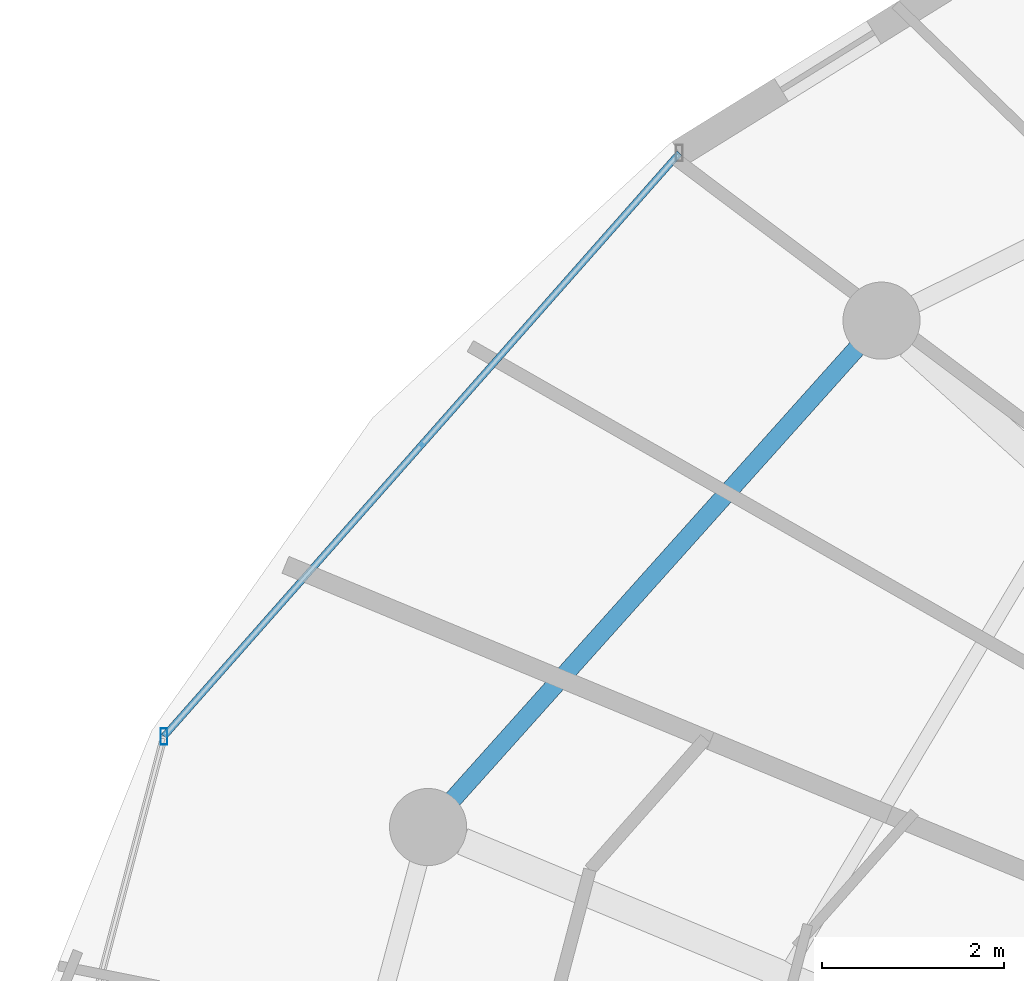
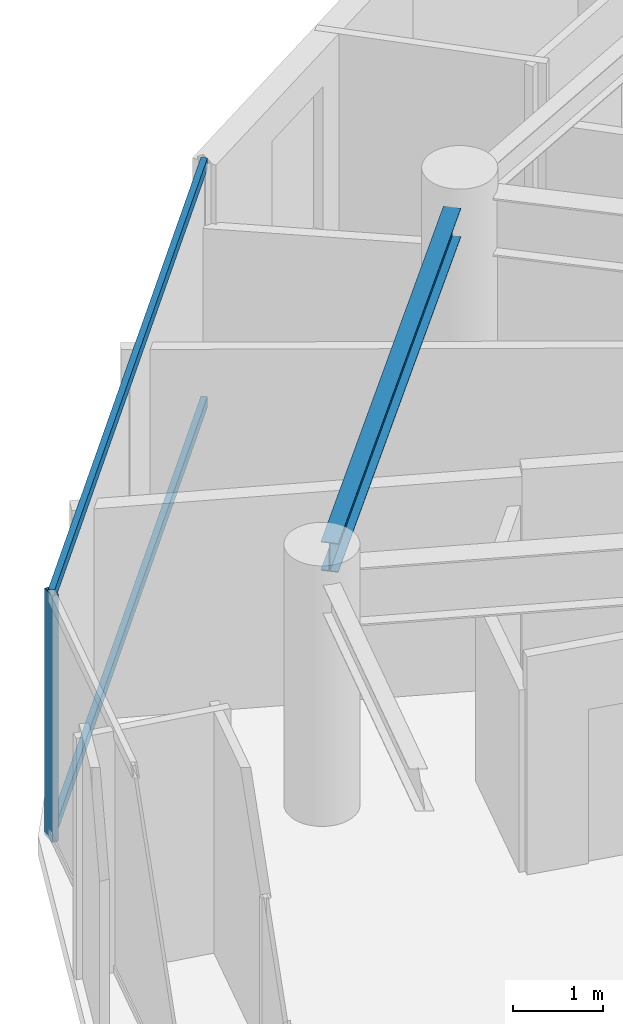
# One storey, part 9 of 30: 3 members, 1 beam, 1 element without a shape of its own.
"""IFC4 building model written with IfcOpenShell, lengths in metres."""

from ifc_helpers import new_model, si_unit, direction, frame, origin, origin_2d, place, context, subcontext, project, spatial, hollow_rectangle, i_section, extrude, material, material_profile, profile_set, type_object, element, aggregate, save


model = new_model("IFC4")

# Units and contexts
model_context = context("Model", 3, precision=1e-05, world=origin(), true_north=direction((0.0, 1.0)))
body_context = subcontext(model_context, "Body", "Model", "MODEL_VIEW")
ifc_project = project(units=[si_unit("LENGTHUNIT", "METRE"), si_unit("AREAUNIT", "SQUARE_METRE"), si_unit("VOLUMEUNIT", "CUBIC_METRE"), si_unit("PLANEANGLEUNIT", "RADIAN"), si_unit("MASSUNIT", "GRAM", prefix="KILO")], contexts=[model_context])

# Site, building, storey
site_placement = place(None, origin())
site = spatial("IfcSite", under=ifc_project, at=site_placement, CompositionType="ELEMENT")
building_placement = place(site_placement, origin())
building = spatial("IfcBuilding", under=site, at=building_placement, Name="Vorneva Point Tower", CompositionType="ELEMENT")
storey_placement = place(building_placement, frame((0.0, 0.0, 252.0)))
storey = spatial("IfcBuildingStorey", under=building, at=storey_placement, Name="L68", CompositionType="ELEMENT", Elevation=252.0)

# Beam
ifc_material_1 = material(Name="Steel S355", Category="steel")
ifc_material_profile_1 = material_profile(ifc_material_1, i_section(OverallWidth=0.198974609375, OverallDepth=0.39599609375, WebThickness=0.007080078125, FlangeThickness=0.010986328125, at=origin_2d()), Name="40B1")
ifc_profile_set_1 = profile_set([ifc_material_profile_1], Name="Steel S355")
beam_type = type_object("IfcBeamType", Name="BM-SPN-40B1", PredefinedType="SPANDREL", material=ifc_profile_set_1)
beam_placement = place(storey_placement, frame((21.427734375, 37.856689453125, 3.092041015625), z_axis=(-0.667108282638, -0.744960763554, 0.0), x_axis=(0.744960763554, -0.667108282638, 0.0)))
element("IfcBeam", 1, at=beam_placement, inside=storey, type_object=beam_type, Name="L68 Perimeter Spandrel Ring Beam 07", PredefinedType="SPANDREL", context=body_context, shape_type="SweptSolid", body=[
    extrude(i_section(OverallWidth=0.198974609375, OverallDepth=0.39599609375, WebThickness=0.007080078125, FlangeThickness=0.010986328125, at=origin_2d()), origin(), (0.0, 0.0, 1.0), 6.670166015625),
])

# Curtain wall, members
ifc_material_2 = material(Name="Pale anodised aluminium", Category="aluminium")
curtain_wall_type = type_object("IfcCurtainWallType", Name="CW-RES-SYS", PredefinedType="NOTDEFINED", material=ifc_material_2)
curtain_wall_placement = place(storey_placement, origin())
curtain_wall = element("IfcCurtainWall", 2, at=curtain_wall_placement, inside=storey, type_object=curtain_wall_type, Name="L68 Unitised Curtain Wall CW-L68-R03", PredefinedType="NOTDEFINED")
ifc_material_profile_2 = material_profile(ifc_material_2, hollow_rectangle(XDim=0.074951171875, YDim=0.179931640625, WallThickness=0.00390625, at=origin_2d()), Name="AL-MUL 180x75x4")
ifc_profile_set_2 = profile_set([ifc_material_profile_2], Name="Pale anodised aluminium")
member_type_1 = type_object("IfcMemberType", Name="CW-MUL-180", PredefinedType="MULLION", material=ifc_profile_set_2)
member_1_placement = place(storey_placement, frame((13.79443359375, 33.5810546875, -0.0400390625), z_axis=(0.0, 0.0, 1.0), x_axis=(1.0, 0.0, 0.0)))
member_1 = element("IfcMember", 3, at=member_1_placement, type_object=member_type_1, Name="CW-L68-R03 Mullion 02", PredefinedType="MULLION", context=body_context, shape_type="SweptSolid", body=[
    extrude(hollow_rectangle(XDim=0.074951171875, YDim=0.179931640625, WallThickness=0.00390625, at=origin_2d()), origin(), (0.0, 0.0, 1.0), 3.360107421875),
])
ifc_material_profile_3 = material_profile(ifc_material_2, hollow_rectangle(XDim=0.074951171875, YDim=0.14990234375, WallThickness=0.00390625, at=origin_2d()), Name="AL-TRN 150x75x4")
ifc_profile_set_3 = profile_set([ifc_material_profile_3], Name="Pale anodised aluminium")
member_type_2 = type_object("IfcMemberType", Name="CW-TRN-150", PredefinedType="USERDEFINED", material=ifc_profile_set_3)
member_2_placement = place(storey_placement, frame((19.473876953125, 40.0078125, 0.02001953125), z_axis=(-0.662196681357, -0.74933007093, 0.0), x_axis=(0.74933007093, -0.662196681357, 0.0)))
member_2 = element("IfcMember", 4, at=member_2_placement, type_object=member_type_2, Name="CW-L68-R03 Transom 01.1", ObjectType="TRANSOM", PredefinedType="USERDEFINED", context=body_context, shape_type="SweptSolid", body=[
    extrude(hollow_rectangle(XDim=0.074951171875, YDim=0.14990234375, WallThickness=0.00390625, at=origin_2d()), origin(), (0.0, 0.0, 1.0), 8.57666015625),
])
member_3_placement = place(storey_placement, frame((19.473876953125, 40.0078125, 3.27001953125), z_axis=(-0.662196681357, -0.74933007093, 0.0), x_axis=(0.74933007093, -0.662196681357, 0.0)))
member_3 = element("IfcMember", 5, at=member_3_placement, type_object=member_type_2, Name="CW-L68-R03 Transom 01.2", ObjectType="TRANSOM", PredefinedType="USERDEFINED", context=body_context, shape_type="SweptSolid", body=[
    extrude(hollow_rectangle(XDim=0.074951171875, YDim=0.14990234375, WallThickness=0.00390625, at=origin_2d()), origin(), (0.0, 0.0, 1.0), 8.57666015625),
])
aggregate(curtain_wall, [member_1, member_2, member_3])

save(model, "model.ifc")
